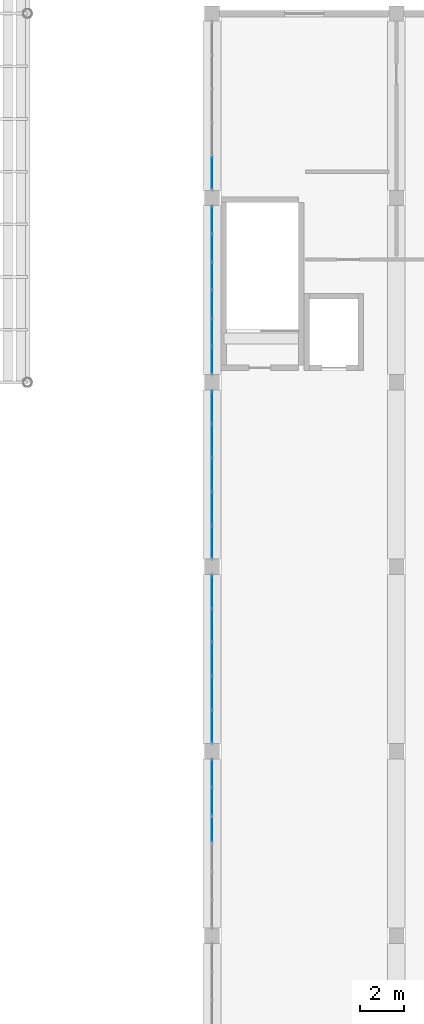
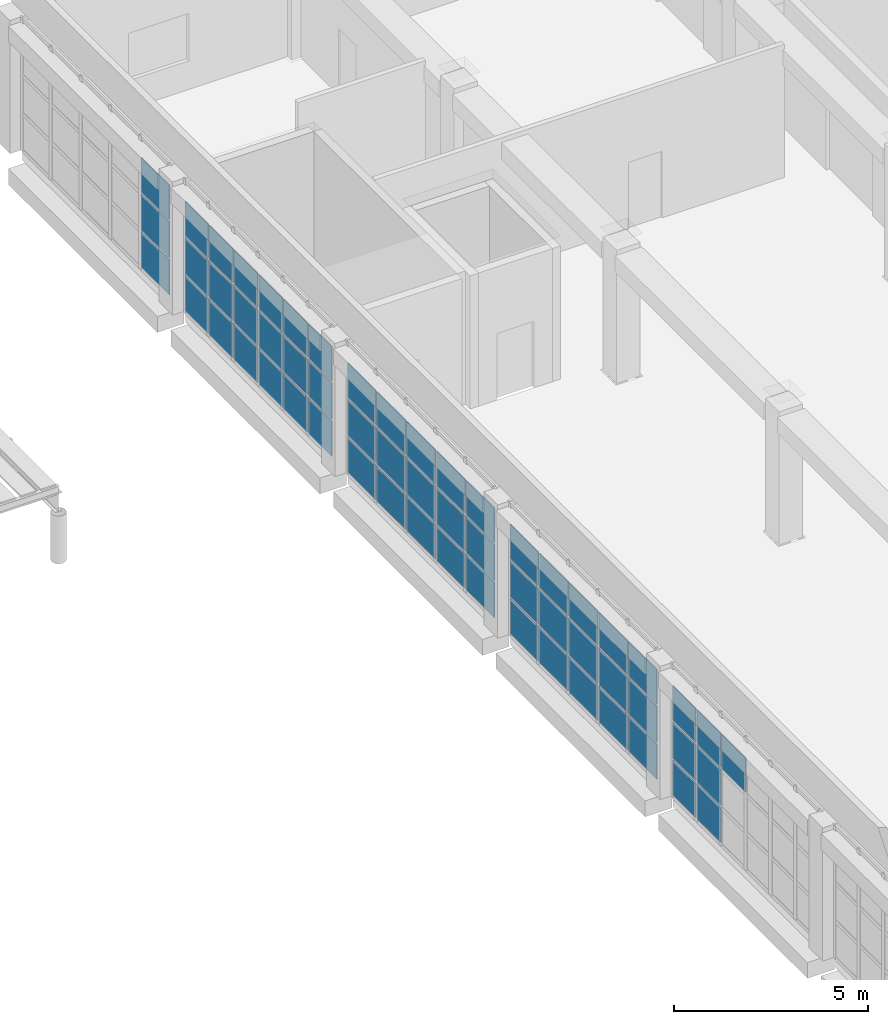
# One storey, part 69 of 162: 58 plates, 5 elements without a shape of their own.
"""IFC4 building model written with IfcOpenShell, lengths in metres."""

from ifc_helpers import new_model, si_unit, direction, frame, origin, origin_2d, place, context, subcontext, project, spatial, rectangle, extrude, material, layer, layer_set, type_object, element, aggregate, save


model = new_model("IFC4")

# Units and contexts
model_context = context("Model", 3, precision=1e-05, world=origin(), true_north=direction((0.0, 1.0)))
body_context = subcontext(model_context, "Body", "Model", "MODEL_VIEW")
ifc_project = project(units=[si_unit("LENGTHUNIT", "METRE"), si_unit("AREAUNIT", "SQUARE_METRE"), si_unit("VOLUMEUNIT", "CUBIC_METRE"), si_unit("PLANEANGLEUNIT", "RADIAN"), si_unit("MASSUNIT", "GRAM", prefix="KILO")], contexts=[model_context])

# Site, building, storey
site_placement = place(None, origin())
site = spatial("IfcSite", under=ifc_project, at=site_placement, CompositionType="ELEMENT")
building_placement = place(site_placement, origin())
building = spatial("IfcBuilding", under=site, at=building_placement, Name="Rain Tree Exposition and Congress Centre", CompositionType="ELEMENT")
storey_placement = place(building_placement, frame((0.0, 0.0, 6.0)))
storey = spatial("IfcBuildingStorey", under=building, at=storey_placement, Name="L01", CompositionType="ELEMENT", Elevation=6.0)

# Curtain wall, plates
ifc_material_1 = material(Name="Aluminium", Category="aluminium")
ifc_layer_1 = layer(ifc_material_1, 0.10009765625)
ifc_layer_set_1 = layer_set([ifc_layer_1], Name="Aluminium")
curtain_wall_type = type_object("IfcCurtainWallType", Name="Curtain wall congress", PredefinedType="NOTDEFINED", material=ifc_layer_set_1)
curtain_wall_1_placement = place(storey_placement, origin())
curtain_wall_1 = element("IfcCurtainWall", 1, at=curtain_wall_1_placement, inside=storey, type_object=curtain_wall_type, Name="Foyer curtain wall L01 bay 3", PredefinedType="NOTDEFINED")
ifc_material_2 = material(Name="Double glazed unit", Category="glass")
ifc_layer_2 = layer(ifc_material_2, 0.028076171875)
ifc_layer_set_2 = layer_set([ifc_layer_2], Name="Double glazed unit")
plate_type = type_object("IfcPlateType", Name="Glazing panel 28 congress", PredefinedType="CURTAIN_PANEL", material=ifc_layer_set_2)
plate_1_placement = place(storey_placement, frame((151.199951171875, 30.041748046875, 2.43017578125), z_axis=(0.0, 0.0, 1.0), x_axis=(0.0, 1.0, 0.0)))
plate_1 = element("IfcPlate", 2, at=plate_1_placement, type_object=plate_type, Name="CWG403 panel 4.3", PredefinedType="CURTAIN_PANEL", context=body_context, shape_type="SweptSolid", body=[
    extrude(rectangle(XDim=1.223388671875, YDim=0.028076171875, at=origin_2d()), origin(), (0.0, 0.0, 1.0), 1.090087890625),
])
plate_2_placement = place(storey_placement, frame((151.199951171875, 31.324951171875, 0.06005859375), z_axis=(0.0, 0.0, 1.0), x_axis=(0.0, 1.0, 0.0)))
plate_2 = element("IfcPlate", 3, at=plate_2_placement, type_object=plate_type, Name="CWG403 panel 5.1", PredefinedType="CURTAIN_PANEL", context=body_context, shape_type="SweptSolid", body=[
    extrude(rectangle(XDim=1.223388671875, YDim=0.028076171875, at=origin_2d()), origin(), (0.0, 0.0, 1.0), 1.110107421875),
])
plate_3_placement = place(storey_placement, frame((151.199951171875, 31.324951171875, 1.22998046875), z_axis=(0.0, 0.0, 1.0), x_axis=(0.0, 1.0, 0.0)))
plate_3 = element("IfcPlate", 4, at=plate_3_placement, type_object=plate_type, Name="CWG403 panel 5.2", PredefinedType="CURTAIN_PANEL", context=body_context, shape_type="SweptSolid", body=[
    extrude(rectangle(XDim=1.223388671875, YDim=0.028076171875, at=origin_2d()), origin(), (0.0, 0.0, 1.0), 1.139892578125),
])
plate_4_placement = place(storey_placement, frame((151.199951171875, 31.324951171875, 2.43017578125), z_axis=(0.0, 0.0, 1.0), x_axis=(0.0, 1.0, 0.0)))
plate_4 = element("IfcPlate", 5, at=plate_4_placement, type_object=plate_type, Name="CWG403 panel 5.3", PredefinedType="CURTAIN_PANEL", context=body_context, shape_type="SweptSolid", body=[
    extrude(rectangle(XDim=1.223388671875, YDim=0.028076171875, at=origin_2d()), origin(), (0.0, 0.0, 1.0), 1.090087890625),
])
plate_5_placement = place(storey_placement, frame((151.199951171875, 32.59326171875, 0.06005859375), z_axis=(0.0, 0.0, 1.0), x_axis=(0.0, 1.0, 0.0)))
plate_5 = element("IfcPlate", 6, at=plate_5_placement, type_object=plate_type, Name="CWG403 panel 6.1", PredefinedType="CURTAIN_PANEL", context=body_context, shape_type="SweptSolid", body=[
    extrude(rectangle(XDim=1.193359375, YDim=0.028076171875, at=origin_2d()), origin(), (0.0, 0.0, 1.0), 1.110107421875),
])
plate_6_placement = place(storey_placement, frame((151.199951171875, 32.59326171875, 1.22998046875), z_axis=(0.0, 0.0, 1.0), x_axis=(0.0, 1.0, 0.0)))
plate_6 = element("IfcPlate", 7, at=plate_6_placement, type_object=plate_type, Name="CWG403 panel 6.2", PredefinedType="CURTAIN_PANEL", context=body_context, shape_type="SweptSolid", body=[
    extrude(rectangle(XDim=1.193359375, YDim=0.028076171875, at=origin_2d()), origin(), (0.0, 0.0, 1.0), 1.139892578125),
])
plate_7_placement = place(storey_placement, frame((151.199951171875, 32.59326171875, 2.43017578125), z_axis=(0.0, 0.0, 1.0), x_axis=(0.0, 1.0, 0.0)))
plate_7 = element("IfcPlate", 8, at=plate_7_placement, type_object=plate_type, Name="CWG403 panel 6.3", PredefinedType="CURTAIN_PANEL", context=body_context, shape_type="SweptSolid", body=[
    extrude(rectangle(XDim=1.193359375, YDim=0.028076171875, at=origin_2d()), origin(), (0.0, 0.0, 1.0), 1.090087890625),
])
aggregate(curtain_wall_1, [plate_1, plate_2, plate_3, plate_4, plate_5, plate_6, plate_7])

curtain_wall_2_placement = place(storey_placement, origin())
curtain_wall_2 = element("IfcCurtainWall", 9, at=curtain_wall_2_placement, inside=storey, type_object=curtain_wall_type, Name="Foyer curtain wall L01 bay 4", PredefinedType="NOTDEFINED")
plate_8_placement = place(storey_placement, frame((151.199951171875, 34.735107421875, 0.06005859375), z_axis=(0.0, 0.0, 1.0), x_axis=(0.0, 1.0, 0.0)))
plate_8 = element("IfcPlate", 10, at=plate_8_placement, type_object=plate_type, Name="CWG404 panel 1.1", PredefinedType="CURTAIN_PANEL", context=body_context, shape_type="SweptSolid", body=[
    extrude(rectangle(XDim=1.449951171875, YDim=0.028076171875, at=origin_2d()), origin(), (0.0, 0.0, 1.0), 1.110107421875),
])
plate_9_placement = place(storey_placement, frame((151.199951171875, 34.735107421875, 1.22998046875), z_axis=(0.0, 0.0, 1.0), x_axis=(0.0, 1.0, 0.0)))
plate_9 = element("IfcPlate", 11, at=plate_9_placement, type_object=plate_type, Name="CWG404 panel 1.2", PredefinedType="CURTAIN_PANEL", context=body_context, shape_type="SweptSolid", body=[
    extrude(rectangle(XDim=1.449951171875, YDim=0.028076171875, at=origin_2d()), origin(), (0.0, 0.0, 1.0), 1.139892578125),
])
plate_10_placement = place(storey_placement, frame((151.199951171875, 34.735107421875, 2.43017578125), z_axis=(0.0, 0.0, 1.0), x_axis=(0.0, 1.0, 0.0)))
plate_10 = element("IfcPlate", 12, at=plate_10_placement, type_object=plate_type, Name="CWG404 panel 1.3", PredefinedType="CURTAIN_PANEL", context=body_context, shape_type="SweptSolid", body=[
    extrude(rectangle(XDim=1.449951171875, YDim=0.028076171875, at=origin_2d()), origin(), (0.0, 0.0, 1.0), 1.090087890625),
])
plate_11_placement = place(storey_placement, frame((151.199951171875, 36.260009765625, 0.06005859375), z_axis=(0.0, 0.0, 1.0), x_axis=(0.0, 1.0, 0.0)))
plate_11 = element("IfcPlate", 13, at=plate_11_placement, type_object=plate_type, Name="CWG404 panel 2.1", PredefinedType="CURTAIN_PANEL", context=body_context, shape_type="SweptSolid", body=[
    extrude(rectangle(XDim=1.47998046875, YDim=0.028076171875, at=origin_2d()), origin(), (0.0, 0.0, 1.0), 1.110107421875),
])
plate_12_placement = place(storey_placement, frame((151.199951171875, 36.260009765625, 1.22998046875), z_axis=(0.0, 0.0, 1.0), x_axis=(0.0, 1.0, 0.0)))
plate_12 = element("IfcPlate", 14, at=plate_12_placement, type_object=plate_type, Name="CWG404 panel 2.2", PredefinedType="CURTAIN_PANEL", context=body_context, shape_type="SweptSolid", body=[
    extrude(rectangle(XDim=1.47998046875, YDim=0.028076171875, at=origin_2d()), origin(), (0.0, 0.0, 1.0), 1.139892578125),
])
plate_13_placement = place(storey_placement, frame((151.199951171875, 36.260009765625, 2.43017578125), z_axis=(0.0, 0.0, 1.0), x_axis=(0.0, 1.0, 0.0)))
plate_13 = element("IfcPlate", 15, at=plate_13_placement, type_object=plate_type, Name="CWG404 panel 2.3", PredefinedType="CURTAIN_PANEL", context=body_context, shape_type="SweptSolid", body=[
    extrude(rectangle(XDim=1.47998046875, YDim=0.028076171875, at=origin_2d()), origin(), (0.0, 0.0, 1.0), 1.090087890625),
])
plate_14_placement = place(storey_placement, frame((151.199951171875, 37.800048828125, 0.06005859375), z_axis=(0.0, 0.0, 1.0), x_axis=(0.0, 1.0, 0.0)))
plate_14 = element("IfcPlate", 16, at=plate_14_placement, type_object=plate_type, Name="CWG404 panel 3.1", PredefinedType="CURTAIN_PANEL", context=body_context, shape_type="SweptSolid", body=[
    extrude(rectangle(XDim=1.47998046875, YDim=0.028076171875, at=origin_2d()), origin(), (0.0, 0.0, 1.0), 1.110107421875),
])
plate_15_placement = place(storey_placement, frame((151.199951171875, 37.800048828125, 1.22998046875), z_axis=(0.0, 0.0, 1.0), x_axis=(0.0, 1.0, 0.0)))
plate_15 = element("IfcPlate", 17, at=plate_15_placement, type_object=plate_type, Name="CWG404 panel 3.2", PredefinedType="CURTAIN_PANEL", context=body_context, shape_type="SweptSolid", body=[
    extrude(rectangle(XDim=1.47998046875, YDim=0.028076171875, at=origin_2d()), origin(), (0.0, 0.0, 1.0), 1.139892578125),
])
plate_16_placement = place(storey_placement, frame((151.199951171875, 37.800048828125, 2.43017578125), z_axis=(0.0, 0.0, 1.0), x_axis=(0.0, 1.0, 0.0)))
plate_16 = element("IfcPlate", 18, at=plate_16_placement, type_object=plate_type, Name="CWG404 panel 3.3", PredefinedType="CURTAIN_PANEL", context=body_context, shape_type="SweptSolid", body=[
    extrude(rectangle(XDim=1.47998046875, YDim=0.028076171875, at=origin_2d()), origin(), (0.0, 0.0, 1.0), 1.090087890625),
])
plate_17_placement = place(storey_placement, frame((151.199951171875, 39.340087890625, 0.06005859375), z_axis=(0.0, 0.0, 1.0), x_axis=(0.0, 1.0, 0.0)))
plate_17 = element("IfcPlate", 19, at=plate_17_placement, type_object=plate_type, Name="CWG404 panel 4.1", PredefinedType="CURTAIN_PANEL", context=body_context, shape_type="SweptSolid", body=[
    extrude(rectangle(XDim=1.47998046875, YDim=0.028076171875, at=origin_2d()), origin(), (0.0, 0.0, 1.0), 1.110107421875),
])
plate_18_placement = place(storey_placement, frame((151.199951171875, 39.340087890625, 1.22998046875), z_axis=(0.0, 0.0, 1.0), x_axis=(0.0, 1.0, 0.0)))
plate_18 = element("IfcPlate", 20, at=plate_18_placement, type_object=plate_type, Name="CWG404 panel 4.2", PredefinedType="CURTAIN_PANEL", context=body_context, shape_type="SweptSolid", body=[
    extrude(rectangle(XDim=1.47998046875, YDim=0.028076171875, at=origin_2d()), origin(), (0.0, 0.0, 1.0), 1.139892578125),
])
plate_19_placement = place(storey_placement, frame((151.199951171875, 39.340087890625, 2.43017578125), z_axis=(0.0, 0.0, 1.0), x_axis=(0.0, 1.0, 0.0)))
plate_19 = element("IfcPlate", 21, at=plate_19_placement, type_object=plate_type, Name="CWG404 panel 4.3", PredefinedType="CURTAIN_PANEL", context=body_context, shape_type="SweptSolid", body=[
    extrude(rectangle(XDim=1.47998046875, YDim=0.028076171875, at=origin_2d()), origin(), (0.0, 0.0, 1.0), 1.090087890625),
])
plate_20_placement = place(storey_placement, frame((151.199951171875, 40.864990234375, 0.06005859375), z_axis=(0.0, 0.0, 1.0), x_axis=(0.0, 1.0, 0.0)))
plate_20 = element("IfcPlate", 22, at=plate_20_placement, type_object=plate_type, Name="CWG404 panel 5.1", PredefinedType="CURTAIN_PANEL", context=body_context, shape_type="SweptSolid", body=[
    extrude(rectangle(XDim=1.449951171875, YDim=0.028076171875, at=origin_2d()), origin(), (0.0, 0.0, 1.0), 1.110107421875),
])
plate_21_placement = place(storey_placement, frame((151.199951171875, 40.864990234375, 1.22998046875), z_axis=(0.0, 0.0, 1.0), x_axis=(0.0, 1.0, 0.0)))
plate_21 = element("IfcPlate", 23, at=plate_21_placement, type_object=plate_type, Name="CWG404 panel 5.2", PredefinedType="CURTAIN_PANEL", context=body_context, shape_type="SweptSolid", body=[
    extrude(rectangle(XDim=1.449951171875, YDim=0.028076171875, at=origin_2d()), origin(), (0.0, 0.0, 1.0), 1.139892578125),
])
plate_22_placement = place(storey_placement, frame((151.199951171875, 40.864990234375, 2.43017578125), z_axis=(0.0, 0.0, 1.0), x_axis=(0.0, 1.0, 0.0)))
plate_22 = element("IfcPlate", 24, at=plate_22_placement, type_object=plate_type, Name="CWG404 panel 5.3", PredefinedType="CURTAIN_PANEL", context=body_context, shape_type="SweptSolid", body=[
    extrude(rectangle(XDim=1.449951171875, YDim=0.028076171875, at=origin_2d()), origin(), (0.0, 0.0, 1.0), 1.090087890625),
])
aggregate(curtain_wall_2, [plate_8, plate_9, plate_10, plate_11, plate_12, plate_13, plate_14, plate_15, plate_16, plate_17, plate_18, plate_19, plate_20, plate_21, plate_22])

curtain_wall_3_placement = place(storey_placement, origin())
curtain_wall_3 = element("IfcCurtainWall", 25, at=curtain_wall_3_placement, inside=storey, type_object=curtain_wall_type, Name="Foyer curtain wall L01 bay 5", PredefinedType="NOTDEFINED")
plate_23_placement = place(storey_placement, frame((151.199951171875, 43.135009765625, 0.06005859375), z_axis=(0.0, 0.0, 1.0), x_axis=(0.0, 1.0, 0.0)))
plate_23 = element("IfcPlate", 26, at=plate_23_placement, type_object=plate_type, Name="CWG405 panel 1.1", PredefinedType="CURTAIN_PANEL", context=body_context, shape_type="SweptSolid", body=[
    extrude(rectangle(XDim=1.449951171875, YDim=0.028076171875, at=origin_2d()), origin(), (0.0, 0.0, 1.0), 1.110107421875),
])
plate_24_placement = place(storey_placement, frame((151.199951171875, 43.135009765625, 1.22998046875), z_axis=(0.0, 0.0, 1.0), x_axis=(0.0, 1.0, 0.0)))
plate_24 = element("IfcPlate", 27, at=plate_24_placement, type_object=plate_type, Name="CWG405 panel 1.2", PredefinedType="CURTAIN_PANEL", context=body_context, shape_type="SweptSolid", body=[
    extrude(rectangle(XDim=1.449951171875, YDim=0.028076171875, at=origin_2d()), origin(), (0.0, 0.0, 1.0), 1.139892578125),
])
plate_25_placement = place(storey_placement, frame((151.199951171875, 43.135009765625, 2.43017578125), z_axis=(0.0, 0.0, 1.0), x_axis=(0.0, 1.0, 0.0)))
plate_25 = element("IfcPlate", 28, at=plate_25_placement, type_object=plate_type, Name="CWG405 panel 1.3", PredefinedType="CURTAIN_PANEL", context=body_context, shape_type="SweptSolid", body=[
    extrude(rectangle(XDim=1.449951171875, YDim=0.028076171875, at=origin_2d()), origin(), (0.0, 0.0, 1.0), 1.090087890625),
])
plate_26_placement = place(storey_placement, frame((151.199951171875, 44.659912109375, 0.06005859375), z_axis=(0.0, 0.0, 1.0), x_axis=(0.0, 1.0, 0.0)))
plate_26 = element("IfcPlate", 29, at=plate_26_placement, type_object=plate_type, Name="CWG405 panel 2.1", PredefinedType="CURTAIN_PANEL", context=body_context, shape_type="SweptSolid", body=[
    extrude(rectangle(XDim=1.47998046875, YDim=0.028076171875, at=origin_2d()), origin(), (0.0, 0.0, 1.0), 1.110107421875),
])
plate_27_placement = place(storey_placement, frame((151.199951171875, 44.659912109375, 1.22998046875), z_axis=(0.0, 0.0, 1.0), x_axis=(0.0, 1.0, 0.0)))
plate_27 = element("IfcPlate", 30, at=plate_27_placement, type_object=plate_type, Name="CWG405 panel 2.2", PredefinedType="CURTAIN_PANEL", context=body_context, shape_type="SweptSolid", body=[
    extrude(rectangle(XDim=1.47998046875, YDim=0.028076171875, at=origin_2d()), origin(), (0.0, 0.0, 1.0), 1.139892578125),
])
plate_28_placement = place(storey_placement, frame((151.199951171875, 44.659912109375, 2.43017578125), z_axis=(0.0, 0.0, 1.0), x_axis=(0.0, 1.0, 0.0)))
plate_28 = element("IfcPlate", 31, at=plate_28_placement, type_object=plate_type, Name="CWG405 panel 2.3", PredefinedType="CURTAIN_PANEL", context=body_context, shape_type="SweptSolid", body=[
    extrude(rectangle(XDim=1.47998046875, YDim=0.028076171875, at=origin_2d()), origin(), (0.0, 0.0, 1.0), 1.090087890625),
])
plate_29_placement = place(storey_placement, frame((151.199951171875, 46.199951171875, 0.06005859375), z_axis=(0.0, 0.0, 1.0), x_axis=(0.0, 1.0, 0.0)))
plate_29 = element("IfcPlate", 32, at=plate_29_placement, type_object=plate_type, Name="CWG405 panel 3.1", PredefinedType="CURTAIN_PANEL", context=body_context, shape_type="SweptSolid", body=[
    extrude(rectangle(XDim=1.47998046875, YDim=0.028076171875, at=origin_2d()), origin(), (0.0, 0.0, 1.0), 1.110107421875),
])
plate_30_placement = place(storey_placement, frame((151.199951171875, 46.199951171875, 1.22998046875), z_axis=(0.0, 0.0, 1.0), x_axis=(0.0, 1.0, 0.0)))
plate_30 = element("IfcPlate", 33, at=plate_30_placement, type_object=plate_type, Name="CWG405 panel 3.2", PredefinedType="CURTAIN_PANEL", context=body_context, shape_type="SweptSolid", body=[
    extrude(rectangle(XDim=1.47998046875, YDim=0.028076171875, at=origin_2d()), origin(), (0.0, 0.0, 1.0), 1.139892578125),
])
plate_31_placement = place(storey_placement, frame((151.199951171875, 46.199951171875, 2.43017578125), z_axis=(0.0, 0.0, 1.0), x_axis=(0.0, 1.0, 0.0)))
plate_31 = element("IfcPlate", 34, at=plate_31_placement, type_object=plate_type, Name="CWG405 panel 3.3", PredefinedType="CURTAIN_PANEL", context=body_context, shape_type="SweptSolid", body=[
    extrude(rectangle(XDim=1.47998046875, YDim=0.028076171875, at=origin_2d()), origin(), (0.0, 0.0, 1.0), 1.090087890625),
])
plate_32_placement = place(storey_placement, frame((151.199951171875, 47.739990234375, 0.06005859375), z_axis=(0.0, 0.0, 1.0), x_axis=(0.0, 1.0, 0.0)))
plate_32 = element("IfcPlate", 35, at=plate_32_placement, type_object=plate_type, Name="CWG405 panel 4.1", PredefinedType="CURTAIN_PANEL", context=body_context, shape_type="SweptSolid", body=[
    extrude(rectangle(XDim=1.47998046875, YDim=0.028076171875, at=origin_2d()), origin(), (0.0, 0.0, 1.0), 1.110107421875),
])
plate_33_placement = place(storey_placement, frame((151.199951171875, 47.739990234375, 1.22998046875), z_axis=(0.0, 0.0, 1.0), x_axis=(0.0, 1.0, 0.0)))
plate_33 = element("IfcPlate", 36, at=plate_33_placement, type_object=plate_type, Name="CWG405 panel 4.2", PredefinedType="CURTAIN_PANEL", context=body_context, shape_type="SweptSolid", body=[
    extrude(rectangle(XDim=1.47998046875, YDim=0.028076171875, at=origin_2d()), origin(), (0.0, 0.0, 1.0), 1.139892578125),
])
plate_34_placement = place(storey_placement, frame((151.199951171875, 47.739990234375, 2.43017578125), z_axis=(0.0, 0.0, 1.0), x_axis=(0.0, 1.0, 0.0)))
plate_34 = element("IfcPlate", 37, at=plate_34_placement, type_object=plate_type, Name="CWG405 panel 4.3", PredefinedType="CURTAIN_PANEL", context=body_context, shape_type="SweptSolid", body=[
    extrude(rectangle(XDim=1.47998046875, YDim=0.028076171875, at=origin_2d()), origin(), (0.0, 0.0, 1.0), 1.090087890625),
])
plate_35_placement = place(storey_placement, frame((151.199951171875, 49.264892578125, 0.06005859375), z_axis=(0.0, 0.0, 1.0), x_axis=(0.0, 1.0, 0.0)))
plate_35 = element("IfcPlate", 38, at=plate_35_placement, type_object=plate_type, Name="CWG405 panel 5.1", PredefinedType="CURTAIN_PANEL", context=body_context, shape_type="SweptSolid", body=[
    extrude(rectangle(XDim=1.449951171875, YDim=0.028076171875, at=origin_2d()), origin(), (0.0, 0.0, 1.0), 1.110107421875),
])
plate_36_placement = place(storey_placement, frame((151.199951171875, 49.264892578125, 1.22998046875), z_axis=(0.0, 0.0, 1.0), x_axis=(0.0, 1.0, 0.0)))
plate_36 = element("IfcPlate", 39, at=plate_36_placement, type_object=plate_type, Name="CWG405 panel 5.2", PredefinedType="CURTAIN_PANEL", context=body_context, shape_type="SweptSolid", body=[
    extrude(rectangle(XDim=1.449951171875, YDim=0.028076171875, at=origin_2d()), origin(), (0.0, 0.0, 1.0), 1.139892578125),
])
plate_37_placement = place(storey_placement, frame((151.199951171875, 49.264892578125, 2.43017578125), z_axis=(0.0, 0.0, 1.0), x_axis=(0.0, 1.0, 0.0)))
plate_37 = element("IfcPlate", 40, at=plate_37_placement, type_object=plate_type, Name="CWG405 panel 5.3", PredefinedType="CURTAIN_PANEL", context=body_context, shape_type="SweptSolid", body=[
    extrude(rectangle(XDim=1.449951171875, YDim=0.028076171875, at=origin_2d()), origin(), (0.0, 0.0, 1.0), 1.090087890625),
])
aggregate(curtain_wall_3, [plate_23, plate_24, plate_25, plate_26, plate_27, plate_28, plate_29, plate_30, plate_31, plate_32, plate_33, plate_34, plate_35, plate_36, plate_37])

curtain_wall_4_placement = place(storey_placement, origin())
curtain_wall_4 = element("IfcCurtainWall", 41, at=curtain_wall_4_placement, inside=storey, type_object=curtain_wall_type, Name="Foyer curtain wall L01 bay 6", PredefinedType="NOTDEFINED")
plate_38_placement = place(storey_placement, frame((151.199951171875, 51.40673828125, 0.06005859375), z_axis=(0.0, 0.0, 1.0), x_axis=(0.0, 1.0, 0.0)))
plate_38 = element("IfcPlate", 42, at=plate_38_placement, type_object=plate_type, Name="CWG406 panel 1.1", PredefinedType="CURTAIN_PANEL", context=body_context, shape_type="SweptSolid", body=[
    extrude(rectangle(XDim=1.193359375, YDim=0.028076171875, at=origin_2d()), origin(), (0.0, 0.0, 1.0), 1.110107421875),
])
plate_39_placement = place(storey_placement, frame((151.199951171875, 51.40673828125, 1.22998046875), z_axis=(0.0, 0.0, 1.0), x_axis=(0.0, 1.0, 0.0)))
plate_39 = element("IfcPlate", 43, at=plate_39_placement, type_object=plate_type, Name="CWG406 panel 1.2", PredefinedType="CURTAIN_PANEL", context=body_context, shape_type="SweptSolid", body=[
    extrude(rectangle(XDim=1.193359375, YDim=0.028076171875, at=origin_2d()), origin(), (0.0, 0.0, 1.0), 1.139892578125),
])
plate_40_placement = place(storey_placement, frame((151.199951171875, 51.40673828125, 2.43017578125), z_axis=(0.0, 0.0, 1.0), x_axis=(0.0, 1.0, 0.0)))
plate_40 = element("IfcPlate", 44, at=plate_40_placement, type_object=plate_type, Name="CWG406 panel 1.3", PredefinedType="CURTAIN_PANEL", context=body_context, shape_type="SweptSolid", body=[
    extrude(rectangle(XDim=1.193359375, YDim=0.028076171875, at=origin_2d()), origin(), (0.0, 0.0, 1.0), 1.090087890625),
])
plate_41_placement = place(storey_placement, frame((151.199951171875, 52.675048828125, 0.06005859375), z_axis=(0.0, 0.0, 1.0), x_axis=(0.0, 1.0, 0.0)))
plate_41 = element("IfcPlate", 45, at=plate_41_placement, type_object=plate_type, Name="CWG406 panel 2.1", PredefinedType="CURTAIN_PANEL", context=body_context, shape_type="SweptSolid", body=[
    extrude(rectangle(XDim=1.223388671875, YDim=0.028076171875, at=origin_2d()), origin(), (0.0, 0.0, 1.0), 1.110107421875),
])
plate_42_placement = place(storey_placement, frame((151.199951171875, 52.675048828125, 1.22998046875), z_axis=(0.0, 0.0, 1.0), x_axis=(0.0, 1.0, 0.0)))
plate_42 = element("IfcPlate", 46, at=plate_42_placement, type_object=plate_type, Name="CWG406 panel 2.2", PredefinedType="CURTAIN_PANEL", context=body_context, shape_type="SweptSolid", body=[
    extrude(rectangle(XDim=1.223388671875, YDim=0.028076171875, at=origin_2d()), origin(), (0.0, 0.0, 1.0), 1.139892578125),
])
plate_43_placement = place(storey_placement, frame((151.199951171875, 52.675048828125, 2.43017578125), z_axis=(0.0, 0.0, 1.0), x_axis=(0.0, 1.0, 0.0)))
plate_43 = element("IfcPlate", 47, at=plate_43_placement, type_object=plate_type, Name="CWG406 panel 2.3", PredefinedType="CURTAIN_PANEL", context=body_context, shape_type="SweptSolid", body=[
    extrude(rectangle(XDim=1.223388671875, YDim=0.028076171875, at=origin_2d()), origin(), (0.0, 0.0, 1.0), 1.090087890625),
])
plate_44_placement = place(storey_placement, frame((151.199951171875, 53.958251953125, 0.06005859375), z_axis=(0.0, 0.0, 1.0), x_axis=(0.0, 1.0, 0.0)))
plate_44 = element("IfcPlate", 48, at=plate_44_placement, type_object=plate_type, Name="CWG406 panel 3.1", PredefinedType="CURTAIN_PANEL", context=body_context, shape_type="SweptSolid", body=[
    extrude(rectangle(XDim=1.223388671875, YDim=0.028076171875, at=origin_2d()), origin(), (0.0, 0.0, 1.0), 1.110107421875),
])
plate_45_placement = place(storey_placement, frame((151.199951171875, 53.958251953125, 1.22998046875), z_axis=(0.0, 0.0, 1.0), x_axis=(0.0, 1.0, 0.0)))
plate_45 = element("IfcPlate", 49, at=plate_45_placement, type_object=plate_type, Name="CWG406 panel 3.2", PredefinedType="CURTAIN_PANEL", context=body_context, shape_type="SweptSolid", body=[
    extrude(rectangle(XDim=1.223388671875, YDim=0.028076171875, at=origin_2d()), origin(), (0.0, 0.0, 1.0), 1.139892578125),
])
plate_46_placement = place(storey_placement, frame((151.199951171875, 53.958251953125, 2.43017578125), z_axis=(0.0, 0.0, 1.0), x_axis=(0.0, 1.0, 0.0)))
plate_46 = element("IfcPlate", 50, at=plate_46_placement, type_object=plate_type, Name="CWG406 panel 3.3", PredefinedType="CURTAIN_PANEL", context=body_context, shape_type="SweptSolid", body=[
    extrude(rectangle(XDim=1.223388671875, YDim=0.028076171875, at=origin_2d()), origin(), (0.0, 0.0, 1.0), 1.090087890625),
])
plate_47_placement = place(storey_placement, frame((151.199951171875, 55.24169921875, 0.06005859375), z_axis=(0.0, 0.0, 1.0), x_axis=(0.0, 1.0, 0.0)))
plate_47 = element("IfcPlate", 51, at=plate_47_placement, type_object=plate_type, Name="CWG406 panel 4.1", PredefinedType="CURTAIN_PANEL", context=body_context, shape_type="SweptSolid", body=[
    extrude(rectangle(XDim=1.223388671875, YDim=0.028076171875, at=origin_2d()), origin(), (0.0, 0.0, 1.0), 1.110107421875),
])
plate_48_placement = place(storey_placement, frame((151.199951171875, 55.24169921875, 1.22998046875), z_axis=(0.0, 0.0, 1.0), x_axis=(0.0, 1.0, 0.0)))
plate_48 = element("IfcPlate", 52, at=plate_48_placement, type_object=plate_type, Name="CWG406 panel 4.2", PredefinedType="CURTAIN_PANEL", context=body_context, shape_type="SweptSolid", body=[
    extrude(rectangle(XDim=1.223388671875, YDim=0.028076171875, at=origin_2d()), origin(), (0.0, 0.0, 1.0), 1.139892578125),
])
plate_49_placement = place(storey_placement, frame((151.199951171875, 55.24169921875, 2.43017578125), z_axis=(0.0, 0.0, 1.0), x_axis=(0.0, 1.0, 0.0)))
plate_49 = element("IfcPlate", 53, at=plate_49_placement, type_object=plate_type, Name="CWG406 panel 4.3", PredefinedType="CURTAIN_PANEL", context=body_context, shape_type="SweptSolid", body=[
    extrude(rectangle(XDim=1.223388671875, YDim=0.028076171875, at=origin_2d()), origin(), (0.0, 0.0, 1.0), 1.090087890625),
])
plate_50_placement = place(storey_placement, frame((151.199951171875, 56.52490234375, 0.06005859375), z_axis=(0.0, 0.0, 1.0), x_axis=(0.0, 1.0, 0.0)))
plate_50 = element("IfcPlate", 54, at=plate_50_placement, type_object=plate_type, Name="CWG406 panel 5.1", PredefinedType="CURTAIN_PANEL", context=body_context, shape_type="SweptSolid", body=[
    extrude(rectangle(XDim=1.223388671875, YDim=0.028076171875, at=origin_2d()), origin(), (0.0, 0.0, 1.0), 1.110107421875),
])
plate_51_placement = place(storey_placement, frame((151.199951171875, 56.52490234375, 1.22998046875), z_axis=(0.0, 0.0, 1.0), x_axis=(0.0, 1.0, 0.0)))
plate_51 = element("IfcPlate", 55, at=plate_51_placement, type_object=plate_type, Name="CWG406 panel 5.2", PredefinedType="CURTAIN_PANEL", context=body_context, shape_type="SweptSolid", body=[
    extrude(rectangle(XDim=1.223388671875, YDim=0.028076171875, at=origin_2d()), origin(), (0.0, 0.0, 1.0), 1.139892578125),
])
plate_52_placement = place(storey_placement, frame((151.199951171875, 56.52490234375, 2.43017578125), z_axis=(0.0, 0.0, 1.0), x_axis=(0.0, 1.0, 0.0)))
plate_52 = element("IfcPlate", 56, at=plate_52_placement, type_object=plate_type, Name="CWG406 panel 5.3", PredefinedType="CURTAIN_PANEL", context=body_context, shape_type="SweptSolid", body=[
    extrude(rectangle(XDim=1.223388671875, YDim=0.028076171875, at=origin_2d()), origin(), (0.0, 0.0, 1.0), 1.090087890625),
])
plate_53_placement = place(storey_placement, frame((151.199951171875, 57.793212890625, 0.06005859375), z_axis=(0.0, 0.0, 1.0), x_axis=(0.0, 1.0, 0.0)))
plate_53 = element("IfcPlate", 57, at=plate_53_placement, type_object=plate_type, Name="CWG406 panel 6.1", PredefinedType="CURTAIN_PANEL", context=body_context, shape_type="SweptSolid", body=[
    extrude(rectangle(XDim=1.193359375, YDim=0.028076171875, at=origin_2d()), origin(), (0.0, 0.0, 1.0), 1.110107421875),
])
plate_54_placement = place(storey_placement, frame((151.199951171875, 57.793212890625, 1.22998046875), z_axis=(0.0, 0.0, 1.0), x_axis=(0.0, 1.0, 0.0)))
plate_54 = element("IfcPlate", 58, at=plate_54_placement, type_object=plate_type, Name="CWG406 panel 6.2", PredefinedType="CURTAIN_PANEL", context=body_context, shape_type="SweptSolid", body=[
    extrude(rectangle(XDim=1.193359375, YDim=0.028076171875, at=origin_2d()), origin(), (0.0, 0.0, 1.0), 1.139892578125),
])
plate_55_placement = place(storey_placement, frame((151.199951171875, 57.793212890625, 2.43017578125), z_axis=(0.0, 0.0, 1.0), x_axis=(0.0, 1.0, 0.0)))
plate_55 = element("IfcPlate", 59, at=plate_55_placement, type_object=plate_type, Name="CWG406 panel 6.3", PredefinedType="CURTAIN_PANEL", context=body_context, shape_type="SweptSolid", body=[
    extrude(rectangle(XDim=1.193359375, YDim=0.028076171875, at=origin_2d()), origin(), (0.0, 0.0, 1.0), 1.090087890625),
])
aggregate(curtain_wall_4, [plate_38, plate_39, plate_40, plate_41, plate_42, plate_43, plate_44, plate_45, plate_46, plate_47, plate_48, plate_49, plate_50, plate_51, plate_52, plate_53, plate_54, plate_55])

curtain_wall_5_placement = place(storey_placement, origin())
curtain_wall_5 = element("IfcCurtainWall", 60, at=curtain_wall_5_placement, inside=storey, type_object=curtain_wall_type, Name="Foyer curtain wall L01 bay 7", PredefinedType="NOTDEFINED")
plate_56_placement = place(storey_placement, frame((151.199951171875, 59.93505859375, 0.06005859375), z_axis=(0.0, 0.0, 1.0), x_axis=(0.0, 1.0, 0.0)))
plate_56 = element("IfcPlate", 61, at=plate_56_placement, type_object=plate_type, Name="CWG407 panel 1.1", PredefinedType="CURTAIN_PANEL", context=body_context, shape_type="SweptSolid", body=[
    extrude(rectangle(XDim=1.449951171875, YDim=0.028076171875, at=origin_2d()), origin(), (0.0, 0.0, 1.0), 1.110107421875),
])
plate_57_placement = place(storey_placement, frame((151.199951171875, 59.93505859375, 1.22998046875), z_axis=(0.0, 0.0, 1.0), x_axis=(0.0, 1.0, 0.0)))
plate_57 = element("IfcPlate", 62, at=plate_57_placement, type_object=plate_type, Name="CWG407 panel 1.2", PredefinedType="CURTAIN_PANEL", context=body_context, shape_type="SweptSolid", body=[
    extrude(rectangle(XDim=1.449951171875, YDim=0.028076171875, at=origin_2d()), origin(), (0.0, 0.0, 1.0), 1.139892578125),
])
plate_58_placement = place(storey_placement, frame((151.199951171875, 59.93505859375, 2.43017578125), z_axis=(0.0, 0.0, 1.0), x_axis=(0.0, 1.0, 0.0)))
plate_58 = element("IfcPlate", 63, at=plate_58_placement, type_object=plate_type, Name="CWG407 panel 1.3", PredefinedType="CURTAIN_PANEL", context=body_context, shape_type="SweptSolid", body=[
    extrude(rectangle(XDim=1.449951171875, YDim=0.028076171875, at=origin_2d()), origin(), (0.0, 0.0, 1.0), 1.090087890625),
])
aggregate(curtain_wall_5, [plate_56, plate_57, plate_58])

save(model, "model.ifc")
